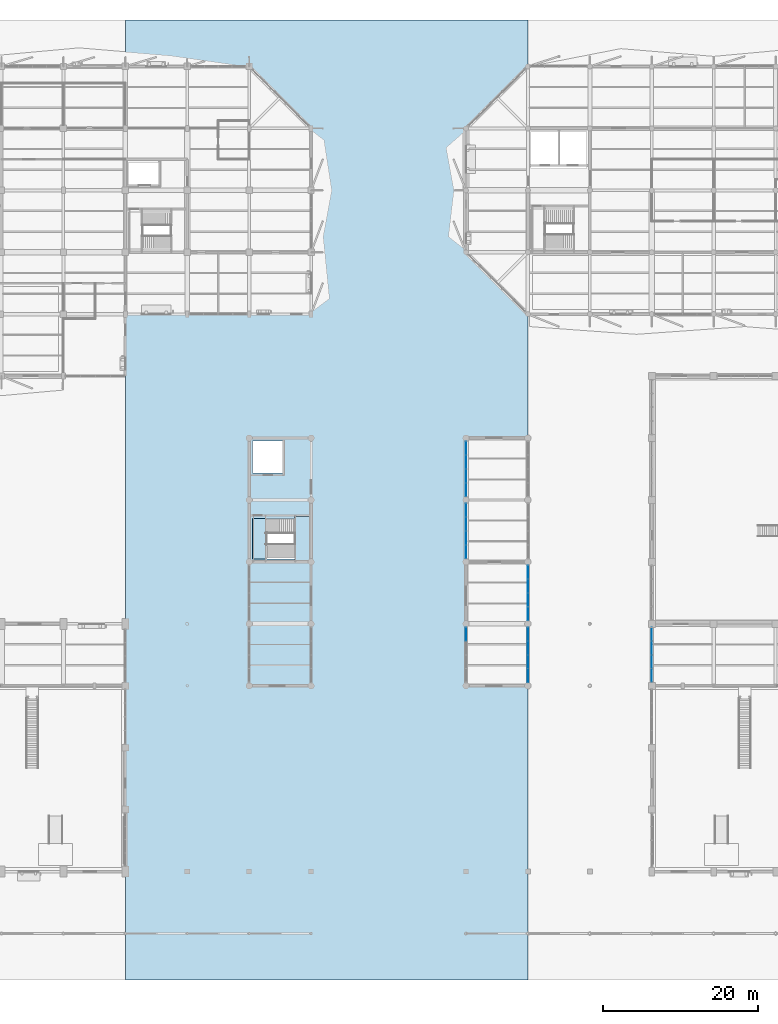
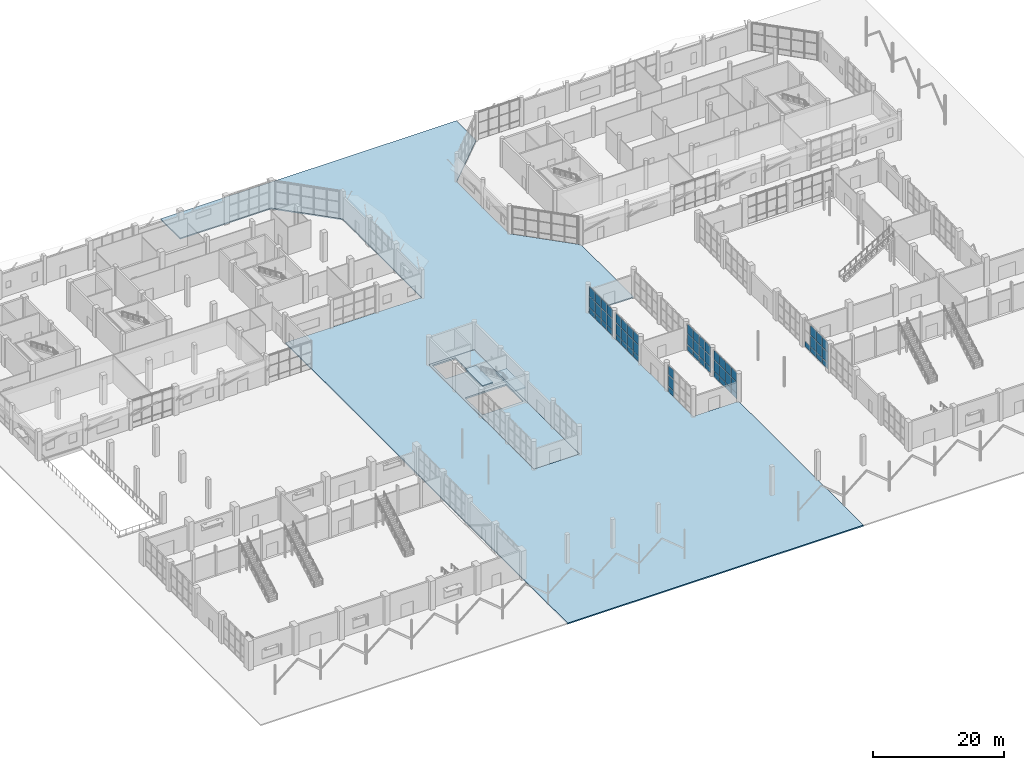
# One storey, part 72 of 123: 61 plates, 4 slabs, 7 elements without a shape of their own.
"""IFC4 building model written with IfcOpenShell, lengths in metres."""

from ifc_helpers import new_model, si_unit, direction, frame, origin, origin_2d, place, context, subcontext, project, spatial, polyline, rectangle, outline, extrude, material, layer, layer_set, type_object, element, aggregate, save


model = new_model("IFC4")

# Units and contexts
model_context = context("Model", 3, precision=1e-05, world=origin(), true_north=direction((0.0, 1.0)))
body_context = subcontext(model_context, "Body", "Model", "MODEL_VIEW")
ifc_project = project(units=[si_unit("LENGTHUNIT", "METRE"), si_unit("AREAUNIT", "SQUARE_METRE"), si_unit("VOLUMEUNIT", "CUBIC_METRE"), si_unit("PLANEANGLEUNIT", "RADIAN"), si_unit("MASSUNIT", "GRAM", prefix="KILO")], contexts=[model_context])

# Site, building, storey
site_placement = place(None, origin())
site = spatial("IfcSite", under=ifc_project, at=site_placement, CompositionType="ELEMENT")
building_placement = place(site_placement, origin())
building = spatial("IfcBuilding", under=site, at=building_placement, Name="Tenunan Teduh Sports Hall", CompositionType="ELEMENT")
storey_placement = place(building_placement, origin())
storey = spatial("IfcBuildingStorey", under=building, at=storey_placement, Name="L00", CompositionType="ELEMENT", Elevation=0.0)

# Curtain wall, plates
ifc_material_1 = material(Name="Anodised aluminium", Category="aluminium")
curtain_wall_type = type_object("IfcCurtainWallType", Name="CW-UNIT-1", PredefinedType="NOTDEFINED", material=ifc_material_1)
curtain_wall_1_placement = place(storey_placement, origin())
curtain_wall_1 = element("IfcCurtainWall", 1, at=curtain_wall_1_placement, inside=storey, type_object=curtain_wall_type, Name="CW-CWM-200-L00-156", PredefinedType="NOTDEFINED")
ifc_material_2 = material(Name="Low-E laminated double glazing", Category="glass")
ifc_layer_1 = layer(ifc_material_2, 0.028076171875)
ifc_layer_set_1 = layer_set([ifc_layer_1], Name="Low-E laminated double glazing")
plate_type_1 = type_object("IfcPlateType", Name="CWP-GLZ-28", PredefinedType="CURTAIN_PANEL", material=ifc_layer_set_1)
plate_1_placement = place(storey_placement, frame((98.0, 44.663818359375, 1.134765625), z_axis=(0.0, 0.0, 1.0), x_axis=(0.0, 1.0, 0.0)))
plate_1 = element("IfcPlate", 2, at=plate_1_placement, type_object=plate_type_1, Name="CW-01 panel 4.2", PredefinedType="CURTAIN_PANEL", context=body_context, shape_type="SweptSolid", body=[
    extrude(rectangle(XDim=1.6826171875, YDim=0.028076171875, at=origin_2d()), origin(), (0.0, 0.0, 1.0), 2.030029296875),
])
plate_2_placement = place(storey_placement, frame((98.0, 44.663818359375, 3.23486328125), z_axis=(0.0, 0.0, 1.0), x_axis=(0.0, 1.0, 0.0)))
plate_2 = element("IfcPlate", 3, at=plate_2_placement, type_object=plate_type_1, Name="CW-01 panel 4.3", PredefinedType="CURTAIN_PANEL", context=body_context, shape_type="SweptSolid", body=[
    extrude(rectangle(XDim=1.6826171875, YDim=0.028076171875, at=origin_2d()), origin(), (0.0, 0.0, 1.0), 1.735107421875),
])

curtain_wall_2_placement = place(storey_placement, origin())
curtain_wall_2 = element("IfcCurtainWall", 4, at=curtain_wall_2_placement, inside=storey, type_object=curtain_wall_type, Name="CW-CWM-175-L00-158", PredefinedType="NOTDEFINED")
plate_3_placement = place(storey_placement, frame((98.0, 63.3349609375, 1.13232421875), z_axis=(0.0, 0.0, 1.0), x_axis=(0.0, 1.0, 0.0)))
plate_3 = element("IfcPlate", 5, at=plate_3_placement, type_object=plate_type_1, Name="CW-01 panel 1.2", PredefinedType="CURTAIN_PANEL", context=body_context, shape_type="SweptSolid", body=[
    extrude(rectangle(XDim=1.68994140625, YDim=0.028076171875, at=origin_2d()), origin(), (0.0, 0.0, 1.0), 2.034912109375),
])
plate_4_placement = place(storey_placement, frame((98.0, 63.3349609375, 3.232421875), z_axis=(0.0, 0.0, 1.0), x_axis=(0.0, 1.0, 0.0)))
plate_4 = element("IfcPlate", 6, at=plate_4_placement, type_object=plate_type_1, Name="CW-01 panel 1.3", PredefinedType="CURTAIN_PANEL", context=body_context, shape_type="SweptSolid", body=[
    extrude(rectangle(XDim=1.68994140625, YDim=0.028076171875, at=origin_2d()), origin(), (0.0, 0.0, 1.0), 1.742431640625),
])
plate_5_placement = place(storey_placement, frame((98.0, 65.106201171875, 1.13232421875), z_axis=(0.0, 0.0, 1.0), x_axis=(0.0, 1.0, 0.0)))
plate_5 = element("IfcPlate", 7, at=plate_5_placement, type_object=plate_type_1, Name="CW-01 panel 2.2", PredefinedType="CURTAIN_PANEL", context=body_context, shape_type="SweptSolid", body=[
    extrude(rectangle(XDim=1.722412109375, YDim=0.028076171875, at=origin_2d()), origin(), (0.0, 0.0, 1.0), 2.034912109375),
])
plate_6_placement = place(storey_placement, frame((98.0, 65.106201171875, 3.232421875), z_axis=(0.0, 0.0, 1.0), x_axis=(0.0, 1.0, 0.0)))
plate_6 = element("IfcPlate", 8, at=plate_6_placement, type_object=plate_type_1, Name="CW-01 panel 2.3", PredefinedType="CURTAIN_PANEL", context=body_context, shape_type="SweptSolid", body=[
    extrude(rectangle(XDim=1.722412109375, YDim=0.028076171875, at=origin_2d()), origin(), (0.0, 0.0, 1.0), 1.742431640625),
])
plate_7_placement = place(storey_placement, frame((98.0, 66.893798828125, 1.13232421875), z_axis=(0.0, 0.0, 1.0), x_axis=(0.0, 1.0, 0.0)))
plate_7 = element("IfcPlate", 9, at=plate_7_placement, type_object=plate_type_1, Name="CW-01 panel 3.2", PredefinedType="CURTAIN_PANEL", context=body_context, shape_type="SweptSolid", body=[
    extrude(rectangle(XDim=1.722412109375, YDim=0.028076171875, at=origin_2d()), origin(), (0.0, 0.0, 1.0), 2.034912109375),
])
plate_8_placement = place(storey_placement, frame((98.0, 66.893798828125, 3.232421875), z_axis=(0.0, 0.0, 1.0), x_axis=(0.0, 1.0, 0.0)))
plate_8 = element("IfcPlate", 10, at=plate_8_placement, type_object=plate_type_1, Name="CW-01 panel 3.3", PredefinedType="CURTAIN_PANEL", context=body_context, shape_type="SweptSolid", body=[
    extrude(rectangle(XDim=1.722412109375, YDim=0.028076171875, at=origin_2d()), origin(), (0.0, 0.0, 1.0), 1.742431640625),
])
plate_9_placement = place(storey_placement, frame((98.0, 68.6650390625, 1.13232421875), z_axis=(0.0, 0.0, 1.0), x_axis=(0.0, 1.0, 0.0)))
plate_9 = element("IfcPlate", 11, at=plate_9_placement, type_object=plate_type_1, Name="CW-01 panel 4.2", PredefinedType="CURTAIN_PANEL", context=body_context, shape_type="SweptSolid", body=[
    extrude(rectangle(XDim=1.68994140625, YDim=0.028076171875, at=origin_2d()), origin(), (0.0, 0.0, 1.0), 2.034912109375),
])
plate_10_placement = place(storey_placement, frame((98.0, 68.6650390625, 3.232421875), z_axis=(0.0, 0.0, 1.0), x_axis=(0.0, 1.0, 0.0)))
plate_10 = element("IfcPlate", 12, at=plate_10_placement, type_object=plate_type_1, Name="CW-01 panel 4.3", PredefinedType="CURTAIN_PANEL", context=body_context, shape_type="SweptSolid", body=[
    extrude(rectangle(XDim=1.68994140625, YDim=0.028076171875, at=origin_2d()), origin(), (0.0, 0.0, 1.0), 1.742431640625),
])

curtain_wall_3_placement = place(storey_placement, origin())
curtain_wall_3 = element("IfcCurtainWall", 13, at=curtain_wall_3_placement, inside=storey, type_object=curtain_wall_type, Name="CW-CWM-200-L00-160", PredefinedType="NOTDEFINED")
plate_11_placement = place(storey_placement, frame((106.0, 47.336181640625, 1.134765625), z_axis=(0.0, 0.0, 1.0), x_axis=(0.0, 1.0, 0.0)))
plate_11 = element("IfcPlate", 14, at=plate_11_placement, type_object=plate_type_1, Name="CW-01 panel 1.2", PredefinedType="CURTAIN_PANEL", context=body_context, shape_type="SweptSolid", body=[
    extrude(rectangle(XDim=1.6826171875, YDim=0.028076171875, at=origin_2d()), origin(), (0.0, 0.0, 1.0), 2.030029296875),
])
plate_12_placement = place(storey_placement, frame((106.0, 47.336181640625, 3.23486328125), z_axis=(0.0, 0.0, 1.0), x_axis=(0.0, 1.0, 0.0)))
plate_12 = element("IfcPlate", 15, at=plate_12_placement, type_object=plate_type_1, Name="CW-01 panel 1.3", PredefinedType="CURTAIN_PANEL", context=body_context, shape_type="SweptSolid", body=[
    extrude(rectangle(XDim=1.6826171875, YDim=0.028076171875, at=origin_2d()), origin(), (0.0, 0.0, 1.0), 1.735107421875),
])
plate_13_placement = place(storey_placement, frame((106.0, 49.106201171875, 1.134765625), z_axis=(0.0, 0.0, 1.0), x_axis=(0.0, 1.0, 0.0)))
plate_13 = element("IfcPlate", 16, at=plate_13_placement, type_object=plate_type_1, Name="CW-01 panel 2.2", PredefinedType="CURTAIN_PANEL", context=body_context, shape_type="SweptSolid", body=[
    extrude(rectangle(XDim=1.717529296875, YDim=0.028076171875, at=origin_2d()), origin(), (0.0, 0.0, 1.0), 2.030029296875),
])
plate_14_placement = place(storey_placement, frame((106.0, 49.106201171875, 3.23486328125), z_axis=(0.0, 0.0, 1.0), x_axis=(0.0, 1.0, 0.0)))
plate_14 = element("IfcPlate", 17, at=plate_14_placement, type_object=plate_type_1, Name="CW-01 panel 2.3", PredefinedType="CURTAIN_PANEL", context=body_context, shape_type="SweptSolid", body=[
    extrude(rectangle(XDim=1.717529296875, YDim=0.028076171875, at=origin_2d()), origin(), (0.0, 0.0, 1.0), 1.735107421875),
])
plate_15_placement = place(storey_placement, frame((106.0, 50.893798828125, 1.134765625), z_axis=(0.0, 0.0, 1.0), x_axis=(0.0, 1.0, 0.0)))
plate_15 = element("IfcPlate", 18, at=plate_15_placement, type_object=plate_type_1, Name="CW-01 panel 3.2", PredefinedType="CURTAIN_PANEL", context=body_context, shape_type="SweptSolid", body=[
    extrude(rectangle(XDim=1.717529296875, YDim=0.028076171875, at=origin_2d()), origin(), (0.0, 0.0, 1.0), 2.030029296875),
])
plate_16_placement = place(storey_placement, frame((106.0, 50.893798828125, 3.23486328125), z_axis=(0.0, 0.0, 1.0), x_axis=(0.0, 1.0, 0.0)))
plate_16 = element("IfcPlate", 19, at=plate_16_placement, type_object=plate_type_1, Name="CW-01 panel 3.3", PredefinedType="CURTAIN_PANEL", context=body_context, shape_type="SweptSolid", body=[
    extrude(rectangle(XDim=1.717529296875, YDim=0.028076171875, at=origin_2d()), origin(), (0.0, 0.0, 1.0), 1.735107421875),
])
plate_17_placement = place(storey_placement, frame((106.0, 52.663818359375, 1.134765625), z_axis=(0.0, 0.0, 1.0), x_axis=(0.0, 1.0, 0.0)))
plate_17 = element("IfcPlate", 20, at=plate_17_placement, type_object=plate_type_1, Name="CW-01 panel 4.2", PredefinedType="CURTAIN_PANEL", context=body_context, shape_type="SweptSolid", body=[
    extrude(rectangle(XDim=1.6826171875, YDim=0.028076171875, at=origin_2d()), origin(), (0.0, 0.0, 1.0), 2.030029296875),
])
plate_18_placement = place(storey_placement, frame((106.0, 52.663818359375, 3.23486328125), z_axis=(0.0, 0.0, 1.0), x_axis=(0.0, 1.0, 0.0)))
plate_18 = element("IfcPlate", 21, at=plate_18_placement, type_object=plate_type_1, Name="CW-01 panel 4.3", PredefinedType="CURTAIN_PANEL", context=body_context, shape_type="SweptSolid", body=[
    extrude(rectangle(XDim=1.6826171875, YDim=0.028076171875, at=origin_2d()), origin(), (0.0, 0.0, 1.0), 1.735107421875),
])

curtain_wall_4_placement = place(storey_placement, origin())
curtain_wall_4 = element("IfcCurtainWall", 22, at=curtain_wall_4_placement, inside=storey, type_object=curtain_wall_type, Name="CW-CWM-220-L00-005", PredefinedType="NOTDEFINED")
ifc_material_3 = material(Name="Solar-control laminated glazing", Category="glass")
ifc_layer_2 = layer(ifc_material_3, 0.031982421875)
ifc_layer_set_2 = layer_set([ifc_layer_2], Name="Solar-control laminated glazing")
plate_type_2 = type_object("IfcPlateType", Name="CWP-GLZ-32", PredefinedType="CURTAIN_PANEL", material=ifc_layer_set_2)
plate_19_placement = place(storey_placement, frame((122.0, 39.356201171875, 1.137451171875), z_axis=(0.0, 0.0, 1.0), x_axis=(0.0, 1.0, 0.0)))
plate_19 = element("IfcPlate", 23, at=plate_19_placement, type_object=plate_type_2, Name="CW-01 panel 1.2", PredefinedType="CURTAIN_PANEL", context=body_context, shape_type="SweptSolid", body=[
    extrude(rectangle(XDim=1.66259765625, YDim=0.031982421875, at=origin_2d()), origin(), (0.0, 0.0, 1.0), 2.02490234375),
])
plate_20_placement = place(storey_placement, frame((122.0, 39.356201171875, 3.237548828125), z_axis=(0.0, 0.0, 1.0), x_axis=(0.0, 1.0, 0.0)))
plate_20 = element("IfcPlate", 24, at=plate_20_placement, type_object=plate_type_2, Name="CW-01 panel 1.3", PredefinedType="CURTAIN_PANEL", context=body_context, shape_type="SweptSolid", body=[
    extrude(rectangle(XDim=1.66259765625, YDim=0.031982421875, at=origin_2d()), origin(), (0.0, 0.0, 1.0), 1.8076171875),
])
plate_21_placement = place(storey_placement, frame((122.0, 41.112548828125, 1.137451171875), z_axis=(0.0, 0.0, 1.0), x_axis=(0.0, 1.0, 0.0)))
plate_21 = element("IfcPlate", 25, at=plate_21_placement, type_object=plate_type_2, Name="CW-01 panel 2.2", PredefinedType="CURTAIN_PANEL", context=body_context, shape_type="SweptSolid", body=[
    extrude(rectangle(XDim=1.699951171875, YDim=0.031982421875, at=origin_2d()), origin(), (0.0, 0.0, 1.0), 2.02490234375),
])
plate_22_placement = place(storey_placement, frame((122.0, 41.112548828125, 3.237548828125), z_axis=(0.0, 0.0, 1.0), x_axis=(0.0, 1.0, 0.0)))
plate_22 = element("IfcPlate", 26, at=plate_22_placement, type_object=plate_type_2, Name="CW-01 panel 2.3", PredefinedType="CURTAIN_PANEL", context=body_context, shape_type="SweptSolid", body=[
    extrude(rectangle(XDim=1.699951171875, YDim=0.031982421875, at=origin_2d()), origin(), (0.0, 0.0, 1.0), 1.8076171875),
])
plate_23_placement = place(storey_placement, frame((122.0, 42.887451171875, 1.137451171875), z_axis=(0.0, 0.0, 1.0), x_axis=(0.0, 1.0, 0.0)))
plate_23 = element("IfcPlate", 27, at=plate_23_placement, type_object=plate_type_2, Name="CW-01 panel 3.2", PredefinedType="CURTAIN_PANEL", context=body_context, shape_type="SweptSolid", body=[
    extrude(rectangle(XDim=1.699951171875, YDim=0.031982421875, at=origin_2d()), origin(), (0.0, 0.0, 1.0), 2.02490234375),
])
plate_24_placement = place(storey_placement, frame((122.0, 42.887451171875, 3.237548828125), z_axis=(0.0, 0.0, 1.0), x_axis=(0.0, 1.0, 0.0)))
plate_24 = element("IfcPlate", 28, at=plate_24_placement, type_object=plate_type_2, Name="CW-01 panel 3.3", PredefinedType="CURTAIN_PANEL", context=body_context, shape_type="SweptSolid", body=[
    extrude(rectangle(XDim=1.699951171875, YDim=0.031982421875, at=origin_2d()), origin(), (0.0, 0.0, 1.0), 1.8076171875),
])

curtain_wall_5_placement = place(storey_placement, origin())
curtain_wall_5 = element("IfcCurtainWall", 29, at=curtain_wall_5_placement, inside=storey, type_object=curtain_wall_type, Name="CW-CWM-220-L00-157", PredefinedType="NOTDEFINED")
plate_25_placement = place(storey_placement, frame((98.0, 55.33740234375, 1.137451171875), z_axis=(0.0, 0.0, 1.0), x_axis=(0.0, 1.0, 0.0)))
plate_25 = element("IfcPlate", 30, at=plate_25_placement, type_object=plate_type_2, Name="CW-01 panel 1.2", PredefinedType="CURTAIN_PANEL", context=body_context, shape_type="SweptSolid", body=[
    extrude(rectangle(XDim=1.675048828125, YDim=0.031982421875, at=origin_2d()), origin(), (0.0, 0.0, 1.0), 2.02490234375),
])
plate_26_placement = place(storey_placement, frame((98.0, 55.33740234375, 3.237548828125), z_axis=(0.0, 0.0, 1.0), x_axis=(0.0, 1.0, 0.0)))
plate_26 = element("IfcPlate", 31, at=plate_26_placement, type_object=plate_type_2, Name="CW-01 panel 1.3", PredefinedType="CURTAIN_PANEL", context=body_context, shape_type="SweptSolid", body=[
    extrude(rectangle(XDim=1.675048828125, YDim=0.031982421875, at=origin_2d()), origin(), (0.0, 0.0, 1.0), 1.7275390625),
])
plate_27_placement = place(storey_placement, frame((98.0, 57.106201171875, 1.137451171875), z_axis=(0.0, 0.0, 1.0), x_axis=(0.0, 1.0, 0.0)))
plate_27 = element("IfcPlate", 32, at=plate_27_placement, type_object=plate_type_2, Name="CW-01 panel 2.2", PredefinedType="CURTAIN_PANEL", context=body_context, shape_type="SweptSolid", body=[
    extrude(rectangle(XDim=1.71240234375, YDim=0.031982421875, at=origin_2d()), origin(), (0.0, 0.0, 1.0), 2.02490234375),
])
plate_28_placement = place(storey_placement, frame((98.0, 57.106201171875, 3.237548828125), z_axis=(0.0, 0.0, 1.0), x_axis=(0.0, 1.0, 0.0)))
plate_28 = element("IfcPlate", 33, at=plate_28_placement, type_object=plate_type_2, Name="CW-01 panel 2.3", PredefinedType="CURTAIN_PANEL", context=body_context, shape_type="SweptSolid", body=[
    extrude(rectangle(XDim=1.71240234375, YDim=0.031982421875, at=origin_2d()), origin(), (0.0, 0.0, 1.0), 1.7275390625),
])
plate_29_placement = place(storey_placement, frame((98.0, 58.893798828125, 1.137451171875), z_axis=(0.0, 0.0, 1.0), x_axis=(0.0, 1.0, 0.0)))
plate_29 = element("IfcPlate", 34, at=plate_29_placement, type_object=plate_type_2, Name="CW-01 panel 3.2", PredefinedType="CURTAIN_PANEL", context=body_context, shape_type="SweptSolid", body=[
    extrude(rectangle(XDim=1.71240234375, YDim=0.031982421875, at=origin_2d()), origin(), (0.0, 0.0, 1.0), 2.02490234375),
])
plate_30_placement = place(storey_placement, frame((98.0, 58.893798828125, 3.237548828125), z_axis=(0.0, 0.0, 1.0), x_axis=(0.0, 1.0, 0.0)))
plate_30 = element("IfcPlate", 35, at=plate_30_placement, type_object=plate_type_2, Name="CW-01 panel 3.3", PredefinedType="CURTAIN_PANEL", context=body_context, shape_type="SweptSolid", body=[
    extrude(rectangle(XDim=1.71240234375, YDim=0.031982421875, at=origin_2d()), origin(), (0.0, 0.0, 1.0), 1.7275390625),
])
plate_31_placement = place(storey_placement, frame((98.0, 60.66259765625, 1.137451171875), z_axis=(0.0, 0.0, 1.0), x_axis=(0.0, 1.0, 0.0)))
plate_31 = element("IfcPlate", 36, at=plate_31_placement, type_object=plate_type_2, Name="CW-01 panel 4.2", PredefinedType="CURTAIN_PANEL", context=body_context, shape_type="SweptSolid", body=[
    extrude(rectangle(XDim=1.675048828125, YDim=0.031982421875, at=origin_2d()), origin(), (0.0, 0.0, 1.0), 2.02490234375),
])
plate_32_placement = place(storey_placement, frame((98.0, 60.66259765625, 3.237548828125), z_axis=(0.0, 0.0, 1.0), x_axis=(0.0, 1.0, 0.0)))
plate_32 = element("IfcPlate", 37, at=plate_32_placement, type_object=plate_type_2, Name="CW-01 panel 4.3", PredefinedType="CURTAIN_PANEL", context=body_context, shape_type="SweptSolid", body=[
    extrude(rectangle(XDim=1.675048828125, YDim=0.031982421875, at=origin_2d()), origin(), (0.0, 0.0, 1.0), 1.7275390625),
])

curtain_wall_6_placement = place(storey_placement, origin())
curtain_wall_6 = element("IfcCurtainWall", 38, at=curtain_wall_6_placement, inside=storey, type_object=curtain_wall_type, Name="CW-CWM-150-L00-159", PredefinedType="NOTDEFINED")
plate_33_placement = place(storey_placement, frame((106.0, 39.333740234375, 1.1298828125), z_axis=(0.0, 0.0, 1.0), x_axis=(0.0, 1.0, 0.0)))
plate_33 = element("IfcPlate", 39, at=plate_33_placement, type_object=plate_type_2, Name="CW-01 panel 1.2", PredefinedType="CURTAIN_PANEL", context=body_context, shape_type="SweptSolid", body=[
    extrude(rectangle(XDim=1.697509765625, YDim=0.031982421875, at=origin_2d()), origin(), (0.0, 0.0, 1.0), 2.0400390625),
])
plate_34_placement = place(storey_placement, frame((106.0, 39.333740234375, 3.22998046875), z_axis=(0.0, 0.0, 1.0), x_axis=(0.0, 1.0, 0.0)))
plate_34 = element("IfcPlate", 40, at=plate_34_placement, type_object=plate_type_2, Name="CW-01 panel 1.3", PredefinedType="CURTAIN_PANEL", context=body_context, shape_type="SweptSolid", body=[
    extrude(rectangle(XDim=1.697509765625, YDim=0.031982421875, at=origin_2d()), origin(), (0.0, 0.0, 1.0), 1.75),
])
plate_35_placement = place(storey_placement, frame((106.0, 41.106201171875, 1.1298828125), z_axis=(0.0, 0.0, 1.0), x_axis=(0.0, 1.0, 0.0)))
plate_35 = element("IfcPlate", 41, at=plate_35_placement, type_object=plate_type_2, Name="CW-01 panel 2.2", PredefinedType="CURTAIN_PANEL", context=body_context, shape_type="SweptSolid", body=[
    extrude(rectangle(XDim=1.7275390625, YDim=0.031982421875, at=origin_2d()), origin(), (0.0, 0.0, 1.0), 2.0400390625),
])
plate_36_placement = place(storey_placement, frame((106.0, 41.106201171875, 3.22998046875), z_axis=(0.0, 0.0, 1.0), x_axis=(0.0, 1.0, 0.0)))
plate_36 = element("IfcPlate", 42, at=plate_36_placement, type_object=plate_type_2, Name="CW-01 panel 2.3", PredefinedType="CURTAIN_PANEL", context=body_context, shape_type="SweptSolid", body=[
    extrude(rectangle(XDim=1.7275390625, YDim=0.031982421875, at=origin_2d()), origin(), (0.0, 0.0, 1.0), 1.75),
])
plate_37_placement = place(storey_placement, frame((106.0, 42.893798828125, 1.1298828125), z_axis=(0.0, 0.0, 1.0), x_axis=(0.0, 1.0, 0.0)))
plate_37 = element("IfcPlate", 43, at=plate_37_placement, type_object=plate_type_2, Name="CW-01 panel 3.2", PredefinedType="CURTAIN_PANEL", context=body_context, shape_type="SweptSolid", body=[
    extrude(rectangle(XDim=1.7275390625, YDim=0.031982421875, at=origin_2d()), origin(), (0.0, 0.0, 1.0), 2.0400390625),
])
plate_38_placement = place(storey_placement, frame((106.0, 42.893798828125, 3.22998046875), z_axis=(0.0, 0.0, 1.0), x_axis=(0.0, 1.0, 0.0)))
plate_38 = element("IfcPlate", 44, at=plate_38_placement, type_object=plate_type_2, Name="CW-01 panel 3.3", PredefinedType="CURTAIN_PANEL", context=body_context, shape_type="SweptSolid", body=[
    extrude(rectangle(XDim=1.7275390625, YDim=0.031982421875, at=origin_2d()), origin(), (0.0, 0.0, 1.0), 1.75),
])
plate_39_placement = place(storey_placement, frame((106.0, 44.666259765625, 1.1298828125), z_axis=(0.0, 0.0, 1.0), x_axis=(0.0, 1.0, 0.0)))
plate_39 = element("IfcPlate", 45, at=plate_39_placement, type_object=plate_type_2, Name="CW-01 panel 4.2", PredefinedType="CURTAIN_PANEL", context=body_context, shape_type="SweptSolid", body=[
    extrude(rectangle(XDim=1.697509765625, YDim=0.031982421875, at=origin_2d()), origin(), (0.0, 0.0, 1.0), 2.0400390625),
])
plate_40_placement = place(storey_placement, frame((106.0, 44.666259765625, 3.22998046875), z_axis=(0.0, 0.0, 1.0), x_axis=(0.0, 1.0, 0.0)))
plate_40 = element("IfcPlate", 46, at=plate_40_placement, type_object=plate_type_2, Name="CW-01 panel 4.3", PredefinedType="CURTAIN_PANEL", context=body_context, shape_type="SweptSolid", body=[
    extrude(rectangle(XDim=1.697509765625, YDim=0.031982421875, at=origin_2d()), origin(), (0.0, 0.0, 1.0), 1.75),
])

# Plate
ifc_material_4 = material(Name="Insulated aluminium spandrel panel", Category="aluminium")
ifc_layer_3 = layer(ifc_material_4, 0.044921875)
ifc_layer_set_3 = layer_set([ifc_layer_3], Name="Insulated aluminium spandrel panel")
plate_type_3 = type_object("IfcPlateType", Name="CWP-SPN-45", PredefinedType="CURTAIN_PANEL", material=ifc_layer_set_3)
plate_41_placement = place(storey_placement, frame((122.0, 39.356201171875, 0.0751953125), z_axis=(0.0, 0.0, 1.0), x_axis=(0.0, 1.0, 0.0)))
plate_41 = element("IfcPlate", 47, at=plate_41_placement, type_object=plate_type_3, Name="CW-01 panel 1.1", PredefinedType="CURTAIN_PANEL", context=body_context, shape_type="SweptSolid", body=[
    extrude(rectangle(XDim=1.66259765625, YDim=0.031982421875, at=origin_2d()), origin(), (0.0, 0.0, 1.0), 0.987548828125),
])

plate_42_placement = place(storey_placement, frame((122.0, 41.112548828125, 0.0751953125), z_axis=(0.0, 0.0, 1.0), x_axis=(0.0, 1.0, 0.0)))
plate_42 = element("IfcPlate", 48, at=plate_42_placement, type_object=plate_type_3, Name="CW-01 panel 2.1", PredefinedType="CURTAIN_PANEL", context=body_context, shape_type="SweptSolid", body=[
    extrude(rectangle(XDim=1.699951171875, YDim=0.031982421875, at=origin_2d()), origin(), (0.0, 0.0, 1.0), 0.987548828125),
])

plate_43_placement = place(storey_placement, frame((122.0, 42.887451171875, 0.0751953125), z_axis=(0.0, 0.0, 1.0), x_axis=(0.0, 1.0, 0.0)))
plate_43 = element("IfcPlate", 49, at=plate_43_placement, type_object=plate_type_3, Name="CW-01 panel 3.1", PredefinedType="CURTAIN_PANEL", context=body_context, shape_type="SweptSolid", body=[
    extrude(rectangle(XDim=1.699951171875, YDim=0.031982421875, at=origin_2d()), origin(), (0.0, 0.0, 1.0), 0.987548828125),
])

plate_44_placement = place(storey_placement, frame((122.0, 44.643798828125, 0.0751953125), z_axis=(0.0, 0.0, 1.0), x_axis=(0.0, 1.0, 0.0)))
plate_44 = element("IfcPlate", 50, at=plate_44_placement, type_object=plate_type_3, Name="CW-01 panel 4.1", PredefinedType="CURTAIN_PANEL", context=body_context, shape_type="SweptSolid", body=[
    extrude(rectangle(XDim=1.66259765625, YDim=0.031982421875, at=origin_2d()), origin(), (0.0, 0.0, 1.0), 0.987548828125),
])

aggregate(curtain_wall_4, [plate_41, plate_19, plate_20, plate_42, plate_21, plate_22, plate_43, plate_23, plate_24, plate_44])

plate_45_placement = place(storey_placement, frame((98.0, 44.663818359375, 0.06982421875), z_axis=(0.0, 0.0, 1.0), x_axis=(0.0, 1.0, 0.0)))
plate_45 = element("IfcPlate", 51, at=plate_45_placement, type_object=plate_type_3, Name="CW-01 panel 4.1", PredefinedType="CURTAIN_PANEL", context=body_context, shape_type="SweptSolid", body=[
    extrude(rectangle(XDim=1.6826171875, YDim=0.028076171875, at=origin_2d()), origin(), (0.0, 0.0, 1.0), 0.9951171875),
])

aggregate(curtain_wall_1, [plate_45, plate_1, plate_2])

plate_46_placement = place(storey_placement, frame((98.0, 55.33740234375, 0.0751953125), z_axis=(0.0, 0.0, 1.0), x_axis=(0.0, 1.0, 0.0)))
plate_46 = element("IfcPlate", 52, at=plate_46_placement, type_object=plate_type_3, Name="CW-01 panel 1.1", PredefinedType="CURTAIN_PANEL", context=body_context, shape_type="SweptSolid", body=[
    extrude(rectangle(XDim=1.675048828125, YDim=0.031982421875, at=origin_2d()), origin(), (0.0, 0.0, 1.0), 0.987548828125),
])

plate_47_placement = place(storey_placement, frame((98.0, 57.106201171875, 0.0751953125), z_axis=(0.0, 0.0, 1.0), x_axis=(0.0, 1.0, 0.0)))
plate_47 = element("IfcPlate", 53, at=plate_47_placement, type_object=plate_type_3, Name="CW-01 panel 2.1", PredefinedType="CURTAIN_PANEL", context=body_context, shape_type="SweptSolid", body=[
    extrude(rectangle(XDim=1.71240234375, YDim=0.031982421875, at=origin_2d()), origin(), (0.0, 0.0, 1.0), 0.987548828125),
])

plate_48_placement = place(storey_placement, frame((98.0, 58.893798828125, 0.0751953125), z_axis=(0.0, 0.0, 1.0), x_axis=(0.0, 1.0, 0.0)))
plate_48 = element("IfcPlate", 54, at=plate_48_placement, type_object=plate_type_3, Name="CW-01 panel 3.1", PredefinedType="CURTAIN_PANEL", context=body_context, shape_type="SweptSolid", body=[
    extrude(rectangle(XDim=1.71240234375, YDim=0.031982421875, at=origin_2d()), origin(), (0.0, 0.0, 1.0), 0.987548828125),
])

plate_49_placement = place(storey_placement, frame((98.0, 60.66259765625, 0.0751953125), z_axis=(0.0, 0.0, 1.0), x_axis=(0.0, 1.0, 0.0)))
plate_49 = element("IfcPlate", 55, at=plate_49_placement, type_object=plate_type_3, Name="CW-01 panel 4.1", PredefinedType="CURTAIN_PANEL", context=body_context, shape_type="SweptSolid", body=[
    extrude(rectangle(XDim=1.675048828125, YDim=0.031982421875, at=origin_2d()), origin(), (0.0, 0.0, 1.0), 0.987548828125),
])

aggregate(curtain_wall_5, [plate_46, plate_25, plate_26, plate_47, plate_27, plate_28, plate_48, plate_29, plate_30, plate_49, plate_31, plate_32])

plate_50_placement = place(storey_placement, frame((98.0, 63.3349609375, 0.06494140625), z_axis=(0.0, 0.0, 1.0), x_axis=(0.0, 1.0, 0.0)))
plate_50 = element("IfcPlate", 56, at=plate_50_placement, type_object=plate_type_3, Name="CW-01 panel 1.1", PredefinedType="CURTAIN_PANEL", context=body_context, shape_type="SweptSolid", body=[
    extrude(rectangle(XDim=1.68994140625, YDim=0.028076171875, at=origin_2d()), origin(), (0.0, 0.0, 1.0), 1.00244140625),
])

plate_51_placement = place(storey_placement, frame((98.0, 65.106201171875, 0.06494140625), z_axis=(0.0, 0.0, 1.0), x_axis=(0.0, 1.0, 0.0)))
plate_51 = element("IfcPlate", 57, at=plate_51_placement, type_object=plate_type_3, Name="CW-01 panel 2.1", PredefinedType="CURTAIN_PANEL", context=body_context, shape_type="SweptSolid", body=[
    extrude(rectangle(XDim=1.722412109375, YDim=0.028076171875, at=origin_2d()), origin(), (0.0, 0.0, 1.0), 1.00244140625),
])

plate_52_placement = place(storey_placement, frame((98.0, 66.893798828125, 0.06494140625), z_axis=(0.0, 0.0, 1.0), x_axis=(0.0, 1.0, 0.0)))
plate_52 = element("IfcPlate", 58, at=plate_52_placement, type_object=plate_type_3, Name="CW-01 panel 3.1", PredefinedType="CURTAIN_PANEL", context=body_context, shape_type="SweptSolid", body=[
    extrude(rectangle(XDim=1.722412109375, YDim=0.028076171875, at=origin_2d()), origin(), (0.0, 0.0, 1.0), 1.00244140625),
])

plate_53_placement = place(storey_placement, frame((98.0, 68.6650390625, 0.06494140625), z_axis=(0.0, 0.0, 1.0), x_axis=(0.0, 1.0, 0.0)))
plate_53 = element("IfcPlate", 59, at=plate_53_placement, type_object=plate_type_3, Name="CW-01 panel 4.1", PredefinedType="CURTAIN_PANEL", context=body_context, shape_type="SweptSolid", body=[
    extrude(rectangle(XDim=1.68994140625, YDim=0.028076171875, at=origin_2d()), origin(), (0.0, 0.0, 1.0), 1.00244140625),
])

aggregate(curtain_wall_2, [plate_50, plate_3, plate_4, plate_51, plate_5, plate_6, plate_52, plate_7, plate_8, plate_53, plate_9, plate_10])

plate_54_placement = place(storey_placement, frame((106.0, 39.333740234375, 0.06005859375), z_axis=(0.0, 0.0, 1.0), x_axis=(0.0, 1.0, 0.0)))
plate_54 = element("IfcPlate", 60, at=plate_54_placement, type_object=plate_type_3, Name="CW-01 panel 1.1", PredefinedType="CURTAIN_PANEL", context=body_context, shape_type="SweptSolid", body=[
    extrude(rectangle(XDim=1.697509765625, YDim=0.031982421875, at=origin_2d()), origin(), (0.0, 0.0, 1.0), 1.010009765625),
])

plate_55_placement = place(storey_placement, frame((106.0, 41.106201171875, 0.06005859375), z_axis=(0.0, 0.0, 1.0), x_axis=(0.0, 1.0, 0.0)))
plate_55 = element("IfcPlate", 61, at=plate_55_placement, type_object=plate_type_3, Name="CW-01 panel 2.1", PredefinedType="CURTAIN_PANEL", context=body_context, shape_type="SweptSolid", body=[
    extrude(rectangle(XDim=1.7275390625, YDim=0.031982421875, at=origin_2d()), origin(), (0.0, 0.0, 1.0), 1.010009765625),
])

plate_56_placement = place(storey_placement, frame((106.0, 42.893798828125, 0.06005859375), z_axis=(0.0, 0.0, 1.0), x_axis=(0.0, 1.0, 0.0)))
plate_56 = element("IfcPlate", 62, at=plate_56_placement, type_object=plate_type_3, Name="CW-01 panel 3.1", PredefinedType="CURTAIN_PANEL", context=body_context, shape_type="SweptSolid", body=[
    extrude(rectangle(XDim=1.7275390625, YDim=0.031982421875, at=origin_2d()), origin(), (0.0, 0.0, 1.0), 1.010009765625),
])

plate_57_placement = place(storey_placement, frame((106.0, 44.666259765625, 0.06005859375), z_axis=(0.0, 0.0, 1.0), x_axis=(0.0, 1.0, 0.0)))
plate_57 = element("IfcPlate", 63, at=plate_57_placement, type_object=plate_type_3, Name="CW-01 panel 4.1", PredefinedType="CURTAIN_PANEL", context=body_context, shape_type="SweptSolid", body=[
    extrude(rectangle(XDim=1.697509765625, YDim=0.031982421875, at=origin_2d()), origin(), (0.0, 0.0, 1.0), 1.010009765625),
])

aggregate(curtain_wall_6, [plate_54, plate_33, plate_34, plate_55, plate_35, plate_36, plate_56, plate_37, plate_38, plate_57, plate_39, plate_40])

plate_58_placement = place(storey_placement, frame((106.0, 47.336181640625, 0.06982421875), z_axis=(0.0, 0.0, 1.0), x_axis=(0.0, 1.0, 0.0)))
plate_58 = element("IfcPlate", 64, at=plate_58_placement, type_object=plate_type_3, Name="CW-01 panel 1.1", PredefinedType="CURTAIN_PANEL", context=body_context, shape_type="SweptSolid", body=[
    extrude(rectangle(XDim=1.6826171875, YDim=0.028076171875, at=origin_2d()), origin(), (0.0, 0.0, 1.0), 0.9951171875),
])

plate_59_placement = place(storey_placement, frame((106.0, 49.106201171875, 0.06982421875), z_axis=(0.0, 0.0, 1.0), x_axis=(0.0, 1.0, 0.0)))
plate_59 = element("IfcPlate", 65, at=plate_59_placement, type_object=plate_type_3, Name="CW-01 panel 2.1", PredefinedType="CURTAIN_PANEL", context=body_context, shape_type="SweptSolid", body=[
    extrude(rectangle(XDim=1.717529296875, YDim=0.028076171875, at=origin_2d()), origin(), (0.0, 0.0, 1.0), 0.9951171875),
])

plate_60_placement = place(storey_placement, frame((106.0, 50.893798828125, 0.06982421875), z_axis=(0.0, 0.0, 1.0), x_axis=(0.0, 1.0, 0.0)))
plate_60 = element("IfcPlate", 66, at=plate_60_placement, type_object=plate_type_3, Name="CW-01 panel 3.1", PredefinedType="CURTAIN_PANEL", context=body_context, shape_type="SweptSolid", body=[
    extrude(rectangle(XDim=1.717529296875, YDim=0.028076171875, at=origin_2d()), origin(), (0.0, 0.0, 1.0), 0.9951171875),
])

plate_61_placement = place(storey_placement, frame((106.0, 52.663818359375, 0.06982421875), z_axis=(0.0, 0.0, 1.0), x_axis=(0.0, 1.0, 0.0)))
plate_61 = element("IfcPlate", 67, at=plate_61_placement, type_object=plate_type_3, Name="CW-01 panel 4.1", PredefinedType="CURTAIN_PANEL", context=body_context, shape_type="SweptSolid", body=[
    extrude(rectangle(XDim=1.6826171875, YDim=0.028076171875, at=origin_2d()), origin(), (0.0, 0.0, 1.0), 0.9951171875),
])

aggregate(curtain_wall_3, [plate_58, plate_11, plate_12, plate_59, plate_13, plate_14, plate_60, plate_15, plate_16, plate_61, plate_17, plate_18])

# Slab
ifc_material_5 = material(Name="Concrete C40/50", Category="concrete")
ifc_layer_4 = layer(ifc_material_5, 0.280029296875)
ifc_layer_set_4 = layer_set([ifc_layer_4], Name="Concrete C40/50")
slab_type_1 = type_object("IfcSlabType", Name="SLB-FLR-280", PredefinedType="FLOOR", material=ifc_layer_set_4)
slab_1_placement = place(storey_placement, frame((0.0, 0.0, -0.280029296875)))
element("IfcSlab", 68, at=slab_1_placement, inside=storey, type_object=slab_type_1, Name="SL-L00-V4W", PredefinedType="FLOOR", context=body_context, shape_type="SweptSolid", body=[
    extrude(outline(polyline([(70.0, 38.0), (78.0, 38.0), (78.0, 70.0), (70.0, 70.0), (70.0, 38.0)]), holes=[polyline([(70.39990234375, 54.39990234375), (77.60009765625, 54.39990234375), (77.60009765625, 59.60009765625), (70.39990234375, 59.60009765625), (70.39990234375, 54.39990234375)]), polyline([(70.39990234375, 65.5), (74.39990234375, 65.5), (74.39990234375, 69.60009765625), (70.39990234375, 69.60009765625), (70.39990234375, 65.5)])]), origin(), (0.0, 0.0, 1.0), 0.280029296875),
])

# Stair, slabs
ifc_material_6 = material(Name="Precast concrete C40/50", Category="concrete")
stair_type = type_object("IfcStairType", Name="STR-CORE-54", PredefinedType="HALF_TURN_STAIR", material=ifc_material_6)
stair_placement = place(storey_placement, origin())
stair = element("IfcStair", 69, at=stair_placement, inside=storey, type_object=stair_type, Name="STR-C1-L00", PredefinedType="HALF_TURN_STAIR")
ifc_material_7 = material(Name="Precast concrete C40/50", Category="concrete")
ifc_layer_5 = layer(ifc_material_7, 0.199951171875)
ifc_layer_set_5 = layer_set([ifc_layer_5], Name="Precast concrete C40/50")
slab_type_2 = type_object("IfcSlabType", Name="SLB-LND-200", PredefinedType="LANDING", material=ifc_layer_set_5)
slab_2_placement = place(storey_placement, frame((0.0, 0.0, 2.5)))
slab_2 = element("IfcSlab", 70, at=slab_2_placement, type_object=slab_type_2, Name="ST-22 landing 1", PredefinedType="LANDING", context=body_context, shape_type="SweptSolid", body=[
    extrude(outline(polyline([(75.864990234375, 54.139892578125), (77.860107421875, 54.139892578125), (77.860107421875, 59.89990234375), (75.864990234375, 59.89990234375), (75.864990234375, 54.139892578125)])), origin(), (0.0, 0.0, 1.0), 0.199951171875),
])
slab_3_placement = place(storey_placement, frame((0.0, 0.0, 5.199951171875)))
slab_3 = element("IfcSlab", 71, at=slab_3_placement, type_object=slab_type_2, Name="ST-22 landing 2", PredefinedType="LANDING", context=body_context, shape_type="SweptSolid", body=[
    extrude(outline(polyline([(70.39990234375, 54.39990234375), (72.280029296875, 54.39990234375), (72.280029296875, 59.60009765625), (70.39990234375, 59.60009765625), (70.39990234375, 54.39990234375)])), origin(), (0.0, 0.0, 1.0), 0.199951171875),
])
aggregate(stair, [slab_2, slab_3])

# Slab
ifc_material_8 = material(Name="Concrete C40/50", Category="concrete")
ifc_layer_6 = layer(ifc_material_8, 0.219970703125)
ifc_layer_set_6 = layer_set([ifc_layer_6], Name="Concrete C40/50")
slab_type_3 = type_object("IfcSlabType", Name="SLB-PLZ-220", PredefinedType="BASESLAB", material=ifc_layer_set_6)
slab_4_placement = place(storey_placement, frame((0.0, 0.0, -0.219970703125)))
element("IfcSlab", 72, at=slab_4_placement, inside=storey, type_object=slab_type_3, Name="Island Block Landscaped Ground Plaza 2", PredefinedType="BASESLAB", context=body_context, shape_type="SweptSolid", body=[
    extrude(outline(polyline([(106.0, 0.0), (54.0, 0.0), (54.0, 13.989990234375), (54.010009765625, 13.989990234375), (54.010009765625, 46.010009765625), (54.0, 46.010009765625), (54.0, 77.989990234375), (54.010009765625, 77.989990234375), (54.010009765625, 85.989990234375), (78.010009765625, 85.989990234375), (78.010009765625, 110.00390625), (70.00390625, 118.010009765625), (54.0, 118.010009765625), (54.0, 124.0), (106.0, 124.0), (106.0, 118.010009765625), (105.99609375, 118.010009765625), (97.989990234375, 110.00390625), (97.989990234375, 93.99609375), (105.99609375, 85.989990234375), (106.0, 85.989990234375), (106.0, 70.010009765625), (97.989990234375, 70.010009765625), (97.989990234375, 37.989990234375), (106.0, 37.989990234375), (106.0, 0.0)]), holes=[polyline([(78.010009765625, 70.010009765625), (69.989990234375, 70.010009765625), (69.989990234375, 37.989990234375), (78.010009765625, 37.989990234375), (78.010009765625, 70.010009765625)])]), origin(), (0.0, 0.0, 1.0), 0.219970703125),
])

save(model, "model.ifc")
